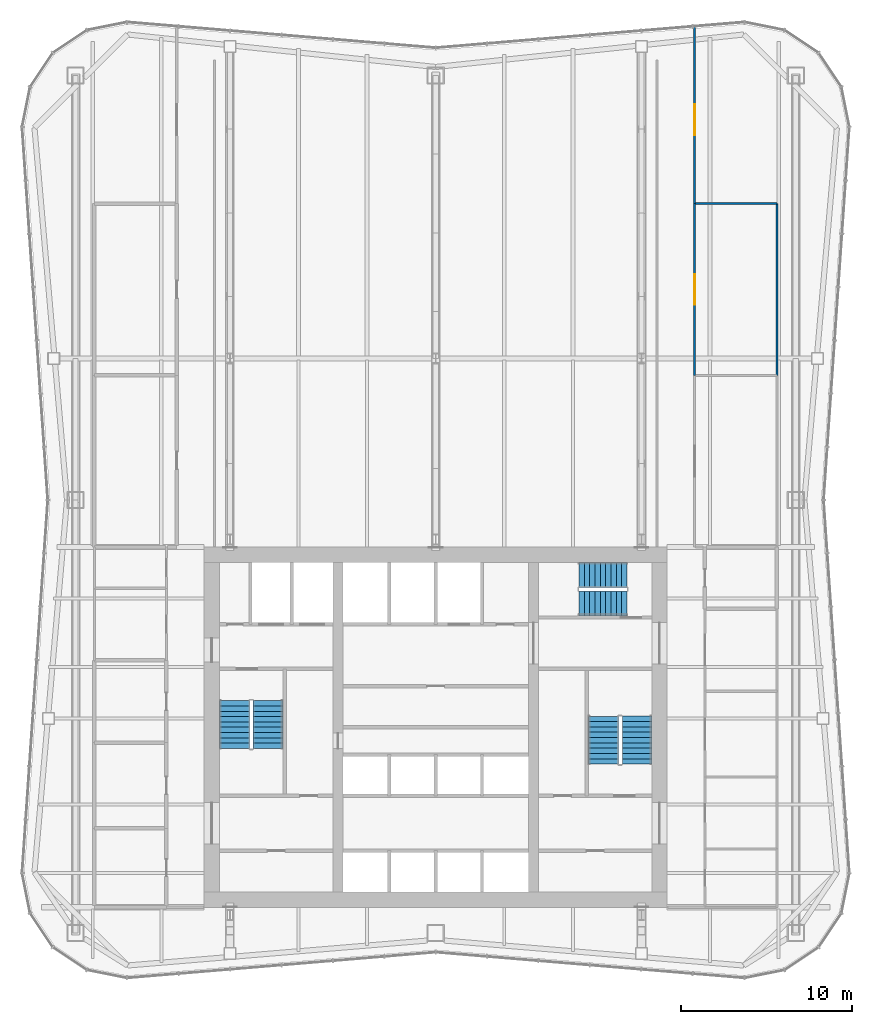
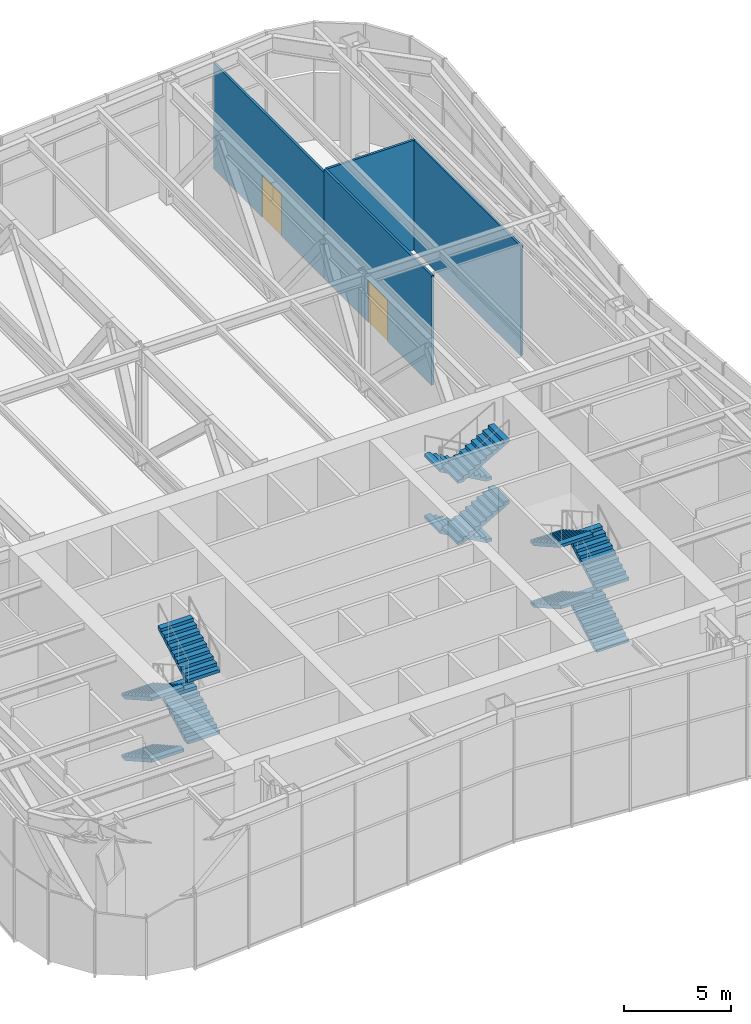
# One storey, part 11 of 14: 12 stair flights, 4 walls, 2 doors, 2 openings, 3 elements without a shape of their own.
"""IFC4 building model written with IfcOpenShell, lengths in metres."""

import ifcopenshell
import ifcopenshell.guid

model = None  # the IFC model being written
_history = None  # IfcOwnerHistory: only IFC2X3 demands one
_inside = {}  # id of a spatial element -> (the spatial element, [elements in it])
_under = {}  # id of a project, library or spatial element -> (it, [spatial elements below it])
_declared = {}  # id of a project -> (the project, [libraries it declares])
_typed = {}  # id of a type object -> (the type object, [elements of that type])
_made_of = {}  # id of a material, layer set ... -> (it, [elements and type objects made of it])


def new_model(schema):
    """Start an empty IFC model of exactly this schema.

    Asked for "IFC4X3", IfcOpenShell would pick the latest addendum, in which some entities
    have other attributes; the version numbers below select the first issue.
    IFC2X3 requires an IfcOwnerHistory on every rooted entity: one is made here for all.
    """
    global model, _history
    if schema == "IFC4X3":
        model = ifcopenshell.file(schema_version=(4, 3, 0, 0))
    else:
        model = ifcopenshell.file(schema=schema)
    _inside.clear()
    _under.clear()
    _declared.clear()
    _typed.clear()
    _made_of.clear()
    _history = None
    if model.schema == "IFC2X3":
        org = make("IfcOrganization", Name="unknown")
        user = make(
            "IfcPersonAndOrganization",
            ThePerson=make("IfcPerson", FamilyName="unknown"),
            TheOrganization=org,
        )
        app = make(
            "IfcApplication",
            ApplicationDeveloper=org,
            Version="unknown",
            ApplicationFullName="unknown",
            ApplicationIdentifier="unknown",
        )
        _history = make(
            "IfcOwnerHistory",
            OwningUser=user,
            OwningApplication=app,
            ChangeAction="ADDED",
            CreationDate=0,
        )
    return model


def make(cls, **values):
    """One entity of the class cls with the attributes given. An attribute that is None is left unset."""
    return model.create_entity(
        cls, **{name: value for name, value in values.items() if value is not None}
    )


def rooted(cls, **values):
    """An entity with a GlobalId (a new one), such as an element, a storey or a relation."""
    return make(cls, GlobalId=ifcopenshell.guid.new(), OwnerHistory=_history, **values)


def si_unit(unit_type, name, prefix=None):
    """IfcSIUnit, for example si_unit("LENGTHUNIT", "METRE", prefix="MILLI")."""
    return make("IfcSIUnit", UnitType=unit_type, Prefix=prefix, Name=name)


def assignment(units):
    """IfcUnitAssignment: the units of a project."""
    return None if units is None else make("IfcUnitAssignment", Units=units)


def point(xyz):
    """IfcCartesianPoint."""
    return None if xyz is None else make("IfcCartesianPoint", Coordinates=xyz)


def direction(xyz):
    """IfcDirection."""
    return None if xyz is None else make("IfcDirection", DirectionRatios=xyz)


def frame(location, z_axis=None, x_axis=None):
    """IfcAxis2Placement3D, a coordinate frame: its origin and axes. An axis left out is left unset."""
    return make(
        "IfcAxis2Placement3D",
        Location=point(location),
        Axis=direction(z_axis),
        RefDirection=direction(x_axis),
    )


def frame_2d(location, x_axis=None):
    """IfcAxis2Placement2D, a coordinate frame in the plane: its origin and x axis."""
    return make(
        "IfcAxis2Placement2D", Location=point(location), RefDirection=direction(x_axis)
    )


def origin():
    """The frame at (0, 0, 0) with its axes left unset."""
    return frame((0.0, 0.0, 0.0))


def place(relative_to, where):
    """IfcLocalPlacement: puts the frame where relative to a parent placement (None: the world)."""
    return make(
        "IfcLocalPlacement", PlacementRelTo=relative_to, RelativePlacement=where
    )


def context(
    kind, dimensions, precision=None, world=None, true_north=None, identifier=None
):
    """IfcGeometricRepresentationContext, for example the 3D "Model" context."""
    return make(
        "IfcGeometricRepresentationContext",
        ContextIdentifier=identifier,
        ContextType=kind,
        CoordinateSpaceDimension=dimensions,
        Precision=precision,
        WorldCoordinateSystem=world,
        TrueNorth=true_north,
    )


def subcontext(parent, identifier, kind, view, scale=None):
    """IfcGeometricRepresentationSubContext, for example "Body" below "Model"."""
    return make(
        "IfcGeometricRepresentationSubContext",
        ContextIdentifier=identifier,
        ContextType=kind,
        ParentContext=parent,
        TargetScale=scale,
        TargetView=view,
    )


def project(units=None, contexts=None):
    """IfcProject with its units and contexts."""
    return rooted(
        "IfcProject",
        Name="project",
        RepresentationContexts=contexts,
        UnitsInContext=assignment(units),
    )


def spatial(cls, under=None, at=None, **own):
    """A site, building, storey or space (cls), placed at a placement, below another one or the project."""
    s = rooted(cls, ObjectPlacement=at, **own)
    if under is not None:
        _under.setdefault(under.id(), (under, []))[1].append(s)
    return s


def polyline(points):
    """IfcPolyline through the points."""
    return make("IfcPolyline", Points=[point(p) for p in points])


def profile(cls, at=None, kind="AREA", **sizes):
    """A parametric profile (cls). Its sizes go by their IFC names, for example OverallWidth=200.0."""
    return make(cls, ProfileType=kind, Position=at, **sizes)


def rectangle(**sizes):
    """IfcRectangleProfileDef."""
    return profile("IfcRectangleProfileDef", **sizes)


def outline(outer, holes=None, kind="AREA"):
    """IfcArbitraryClosedProfileDef: a profile drawn as a closed curve; with holes, ...WithVoids."""
    if holes is None:
        return make("IfcArbitraryClosedProfileDef", ProfileType=kind, OuterCurve=outer)
    return make(
        "IfcArbitraryProfileDefWithVoids",
        ProfileType=kind,
        OuterCurve=outer,
        InnerCurves=holes,
    )


def extrude(swept, where, along, depth):
    """IfcExtrudedAreaSolid: the profile swept, set in the frame where, extruded along a direction by depth."""
    return make(
        "IfcExtrudedAreaSolid",
        SweptArea=swept,
        Position=where,
        ExtrudedDirection=direction(along),
        Depth=depth,
    )


def shape(context_of_items, identifier, shape_type, items):
    """IfcShapeRepresentation: the items that make up one representation, for example the "Body"."""
    return make(
        "IfcShapeRepresentation",
        ContextOfItems=context_of_items,
        RepresentationIdentifier=identifier,
        RepresentationType=shape_type,
        Items=items,
    )


def material(Name=None, Category=None):
    """IfcMaterial."""
    return make("IfcMaterial", Name=Name, Category=Category)


def layer(
    of_material, thickness, ventilated=None, Name=None, Category=None, Priority=None
):
    """IfcMaterialLayer: one layer of a wall or slab, of a material (None: an air gap)."""
    return make(
        "IfcMaterialLayer",
        Material=of_material,
        LayerThickness=thickness,
        IsVentilated=ventilated,
        Name=Name,
        Category=Category,
        Priority=Priority,
    )


def layer_set(layers, Name=None):
    """IfcMaterialLayerSet."""
    return make("IfcMaterialLayerSet", MaterialLayers=layers, LayerSetName=Name)


def made_of(thing, what):
    """Note that an element or type object is made of a material, layer set ...; save() writes the relation."""
    if what is not None:
        _made_of.setdefault(what.id(), (what, []))[1].append(thing)
    return thing


def type_object(cls, material=None, **own):
    """A type object (cls), such as IfcWallType, which elements share."""
    return made_of(rooted(cls, **own), material)


def element(
    cls,
    number,
    at=None,
    inside=None,
    cuts=None,
    type_object=None,
    material=None,
    context=None,
    identifier="Body",
    shape_type=None,
    held_by="IfcProductDefinitionShape",
    body=None,
    shapes=None,
    **own,
):
    """One element of the class cls, such as IfcWall. Its Tag is "e" and its number.

    at: its placement. inside: the storey or other place that contains it. cuts: it is an
    opening in that element (IfcRelVoidsElement). A single representation is given by context,
    identifier, shape_type and body (its items); several are given by shapes. held_by: the class
    of the entity that holds the representations. save() writes the other relations.
    """
    e = rooted(cls, Tag="e%d" % number, ObjectPlacement=at, **own)
    if body is not None:
        shapes = [shape(context, identifier, shape_type, body)]
    if shapes is not None:
        e.Representation = make(held_by, Representations=shapes)
    if inside is not None:
        _inside.setdefault(inside.id(), (inside, []))[1].append(e)
    if cuts is not None:
        rooted(
            "IfcRelVoidsElement", RelatingBuildingElement=cuts, RelatedOpeningElement=e
        )
    if type_object is not None:
        _typed.setdefault(type_object.id(), (type_object, []))[1].append(e)
    return made_of(e, material)


def fill(opening, filler):
    """IfcRelFillsElement: the door or window that sits in an opening."""
    return rooted(
        "IfcRelFillsElement",
        RelatingOpeningElement=opening,
        RelatedBuildingElement=filler,
    )


def aggregate(whole, parts):
    """IfcRelAggregates: a whole, such as a stair, and the parts it consists of."""
    return rooted("IfcRelAggregates", RelatingObject=whole, RelatedObjects=parts)


def save(model, path):
    """Write the relations noted so far, then the file.

    IfcRelAggregates (storeys below a building ...), IfcRelContainedInSpatialStructure (elements
    in a storey), IfcRelDefinesByType, IfcRelAssociatesMaterial and IfcRelDeclares: one each for
    every whole, place, type object, material and project.
    """
    for whole, parts in _under.values():
        aggregate(whole, parts)
    for where, things in _inside.values():
        rooted(
            "IfcRelContainedInSpatialStructure",
            RelatedElements=things,
            RelatingStructure=where,
        )
    for kind, things in _typed.values():
        rooted("IfcRelDefinesByType", RelatedObjects=things, RelatingType=kind)
    for what, things in _made_of.values():
        rooted("IfcRelAssociatesMaterial", RelatedObjects=things, RelatingMaterial=what)
    for by, libraries in _declared.values():
        rooted("IfcRelDeclares", RelatingContext=by, RelatedDefinitions=libraries)
    model.write(path)


model = new_model("IFC4")

# Units and contexts
model_context = context("Model", 3, precision=1e-05, world=origin(), true_north=direction((0.0, 1.0)))
body_context = subcontext(model_context, "Body", "Model", "MODEL_VIEW")
ifc_project = project(units=[si_unit("LENGTHUNIT", "METRE"), si_unit("AREAUNIT", "SQUARE_METRE"), si_unit("VOLUMEUNIT", "CUBIC_METRE"), si_unit("PLANEANGLEUNIT", "RADIAN"), si_unit("MASSUNIT", "GRAM", prefix="KILO")], contexts=[model_context])

# Site, building, storey
site_placement = place(None, origin())
site = spatial("IfcSite", under=ifc_project, at=site_placement, CompositionType="ELEMENT")
building_placement = place(site_placement, origin())
building = spatial("IfcBuilding", under=site, at=building_placement, Name="Verdant Reach Tower", CompositionType="ELEMENT")
storey_placement = place(building_placement, frame((0.0, 0.0, 226.0)))
storey = spatial("IfcBuildingStorey", under=building, at=storey_placement, Name="L52 Plant", CompositionType="ELEMENT", Elevation=226.0)

# Wall, opening, door
ifc_material_1 = material(Name="Gypsum board on steel studs, fire rated", Category="steel")
ifc_layer = layer(ifc_material_1, 0.125)
ifc_layer_set = layer_set([ifc_layer], Name="SV-W2 Plant wall 125 EI 60")
wall_type = type_object("IfcWallType", Name="SV-W2 Plant wall 125 EI 60", PredefinedType="PARTITIONING", material=ifc_layer_set)
wall_1_placement = place(storey_placement, frame((15.10009765625, 48.514892578125, 0.0), z_axis=(0.0, 0.0, 1.0), x_axis=(0.0, 1.0, 0.0)))
wall_1 = element("IfcWall", 1, at=wall_1_placement, inside=storey, type_object=wall_type, Name="Partition L52.08", PredefinedType="PARTITIONING", context=body_context, shape_type="SweptSolid", body=[
    extrude(rectangle(XDim=10.01611328125, YDim=0.125, at=frame_2d((5.008056640625, 0.0))), origin(), (0.0, 0.0, 1.0), 6.239990234375),
])
opening_1_placement = place(wall_1_placement, frame((4.10791015625, 0.0, 0.0)))
opening_1 = element("IfcOpeningElement", 2, at=opening_1_placement, cuts=wall_1, Name="Opening SD3", PredefinedType="OPENING", context=body_context, shape_type="SweptSolid", body=[
    extrude(rectangle(XDim=1.800048828125, YDim=2.39990234375, at=frame_2d((0.89990234375, 1.199951171875))), frame((0.0, 0.072509765625, 0.0), z_axis=(0.0, -1.0, 0.0), x_axis=(1.0, 0.0, 0.0)), (0.0, 0.0, 1.0), 0.14501953125),
])
ifc_material_2 = material(Name="Steel door leaves, fire rated", Category="steel")
door_type = type_object("IfcDoorType", Name="SV-D3 Equipment door 1800x2400 FD60", OperationType="DOUBLE_DOOR_SINGLE_SWING", PredefinedType="DOOR", material=ifc_material_2)
door_1_placement = place(opening_1_placement, origin())
door_1 = element("IfcDoor", 3, at=door_1_placement, inside=storey, type_object=door_type, Name="Door L52-007", OperationType="DOUBLE_DOOR_SINGLE_SWING", OverallHeight=2.39990234375, OverallWidth=1.800048828125, PredefinedType="DOOR", context=body_context, shape_type="SweptSolid", body=[
    extrude(rectangle(XDim=1.800048828125, YDim=2.39990234375, at=frame_2d((0.89990234375, 1.199951171875))), frame((0.0, 0.02490234375, 0.0), z_axis=(0.0, -1.0, 0.0), x_axis=(1.0, 0.0, 0.0)), (0.0, 0.0, 1.0), 0.050048828125),
])
fill(opening_1, door_1)

wall_2_placement = place(storey_placement, frame((15.10009765625, 58.531005859375, 0.0), z_axis=(0.0, 0.0, 1.0), x_axis=(0.0, 1.0, 0.0)))
wall_2 = element("IfcWall", 4, at=wall_2_placement, inside=storey, type_object=wall_type, Name="Partition L52.09", PredefinedType="PARTITIONING", context=body_context, shape_type="SweptSolid", body=[
    extrude(rectangle(XDim=10.307373046875, YDim=0.125, at=frame_2d((5.15380859375, 0.0))), origin(), (0.0, 0.0, 1.0), 6.0400390625),
])
opening_2_placement = place(wall_2_placement, frame((3.988037109375, 0.0, 0.0)))
opening_2 = element("IfcOpeningElement", 5, at=opening_2_placement, cuts=wall_2, Name="Opening SD3", PredefinedType="OPENING", context=body_context, shape_type="SweptSolid", body=[
    extrude(rectangle(XDim=1.800048828125, YDim=2.39990234375, at=frame_2d((0.89990234375, 1.199951171875))), frame((0.0, 0.072509765625, 0.0), z_axis=(0.0, -1.0, 0.0), x_axis=(1.0, 0.0, 0.0)), (0.0, 0.0, 1.0), 0.14501953125),
])
door_2_placement = place(opening_2_placement, origin())
door_2 = element("IfcDoor", 6, at=door_2_placement, inside=storey, type_object=door_type, Name="Door L52-008", OperationType="DOUBLE_DOOR_SINGLE_SWING", OverallHeight=2.39990234375, OverallWidth=1.800048828125, PredefinedType="DOOR", context=body_context, shape_type="SweptSolid", body=[
    extrude(rectangle(XDim=1.800048828125, YDim=2.39990234375, at=frame_2d((0.89990234375, 1.199951171875))), frame((0.0, 0.02490234375, 0.0), z_axis=(0.0, -1.0, 0.0), x_axis=(1.0, 0.0, 0.0)), (0.0, 0.0, 1.0), 0.050048828125),
])
fill(opening_2, door_2)

# Walls
wall_3_placement = place(storey_placement, frame((15.16259765625, 58.531005859375, 0.0), z_axis=(0.0, 0.0, 1.0), x_axis=(1.0, 0.0, 0.0)))
element("IfcWall", 7, at=wall_3_placement, inside=storey, type_object=wall_type, Name="Partition L52.16", PredefinedType="PARTITIONING", context=body_context, shape_type="SweptSolid", body=[
    extrude(rectangle(XDim=4.7373046875, YDim=0.125, at=frame_2d((2.36865234375, 0.0))), origin(), (0.0, 0.0, 1.0), 6.239990234375),
])
wall_4_placement = place(storey_placement, frame((19.89990234375, 58.529052734375, 0.0), z_axis=(0.0, 0.0, 1.0), x_axis=(0.0, -1.0, 0.0)))
element("IfcWall", 8, at=wall_4_placement, inside=storey, type_object=wall_type, Name="Partition L52.42", PredefinedType="PARTITIONING", context=body_context, shape_type="SweptSolid", body=[
    extrude(rectangle(XDim=10.011962890625, YDim=0.125, at=frame_2d((5.005859375, 0.0))), origin(), (0.0, 0.0, 1.0), 6.239990234375),
])

# Stair, stair flights
ifc_material_3 = material(Name="Concrete C40/50", Category="concrete")
stair_type = type_object("IfcStairType", Name="CO-STAIR", PredefinedType="HALF_TURN_STAIR", material=ifc_material_3)
stair_1_placement = place(storey_placement, origin())
stair_1 = element("IfcStair", 9, at=stair_1_placement, inside=storey, type_object=stair_type, Name="L52 Plant Exit stair 1", PredefinedType="HALF_TURN_STAIR")
stair_flight_type = type_object("IfcStairFlightType", Name="CO-STAIR-FLIGHT", PredefinedType="STRAIGHT", material=ifc_material_3)
stair_flight_1_placement = place(storey_placement, frame((-11.72509765625, 29.550048828125, 0.0), z_axis=(0.0, 0.0, 1.0), x_axis=(0.0, -1.0, 0.0)))
stair_flight_1 = element("IfcStairFlight", 10, at=stair_flight_1_placement, type_object=stair_flight_type, Name="ST-1 flight 1", NumberOfRisers=10, NumberOfTreads=9, PredefinedType="STRAIGHT", RiserHeight=0.175, TreadLength=0.31, context=body_context, shape_type="SweptSolid", body=[
    extrude(outline(polyline([(0.0, 0.0), (0.0, 0.175048828125), (0.31005859375, 0.175048828125), (0.31005859375, 0.35009765625), (0.6201171875, 0.35009765625), (0.6201171875, 0.52490234375), (0.929931640625, 0.52490234375), (0.929931640625, 0.699951171875), (1.239990234375, 0.699951171875), (1.239990234375, 0.875), (1.550048828125, 0.875), (1.550048828125, 1.050048828125), (1.860107421875, 1.050048828125), (1.860107421875, 1.22509765625), (2.169921875, 1.22509765625), (2.169921875, 1.39990234375), (2.47998046875, 1.39990234375), (2.47998046875, 1.574951171875), (2.7900390625, 1.574951171875), (2.7900390625, 1.75), (2.7900390625, 1.40283203125), (0.304931640625, 0.0), (0.0, 0.0)])), frame((0.0, 0.875, 0.0), z_axis=(0.0, -1.0, 0.0), x_axis=(1.0, 0.0, 0.0)), (0.0, 0.0, 1.0), 1.75),
])
stair_flight_2_placement = place(storey_placement, frame((-9.77490234375, 26.760009765625, 1.75), z_axis=(0.0, 0.0, 1.0), x_axis=(0.0, 1.0, 0.0)))
stair_flight_2 = element("IfcStairFlight", 11, at=stair_flight_2_placement, type_object=stair_flight_type, Name="ST-1 flight 2", NumberOfRisers=10, NumberOfTreads=9, PredefinedType="STRAIGHT", RiserHeight=0.175, TreadLength=0.31, context=body_context, shape_type="SweptSolid", body=[
    extrude(outline(polyline([(0.0, 0.0), (0.0, 0.175048828125), (0.31005859375, 0.175048828125), (0.31005859375, 0.35009765625), (0.6201171875, 0.35009765625), (0.6201171875, 0.52490234375), (0.929931640625, 0.52490234375), (0.929931640625, 0.699951171875), (1.239990234375, 0.699951171875), (1.239990234375, 0.875), (1.550048828125, 0.875), (1.550048828125, 1.050048828125), (1.860107421875, 1.050048828125), (1.860107421875, 1.22509765625), (2.169921875, 1.22509765625), (2.169921875, 1.39990234375), (2.47998046875, 1.39990234375), (2.47998046875, 1.574951171875), (2.7900390625, 1.574951171875), (2.7900390625, 1.75), (2.7900390625, 1.40283203125), (0.304931640625, 0.0), (0.0, 0.0)])), frame((0.0, 0.875, 0.0), z_axis=(0.0, -1.0, 0.0), x_axis=(1.0, 0.0, 0.0)), (0.0, 0.0, 1.0), 1.75),
])
stair_flight_3_placement = place(storey_placement, frame((-11.72509765625, 29.550048828125, 3.5), z_axis=(0.0, 0.0, 1.0), x_axis=(0.0, -1.0, 0.0)))
stair_flight_3 = element("IfcStairFlight", 12, at=stair_flight_3_placement, type_object=stair_flight_type, Name="ST-1 flight 3", NumberOfRisers=10, NumberOfTreads=9, PredefinedType="STRAIGHT", RiserHeight=0.175, TreadLength=0.31, context=body_context, shape_type="SweptSolid", body=[
    extrude(outline(polyline([(0.0, 0.0), (0.0, 0.175048828125), (0.31005859375, 0.175048828125), (0.31005859375, 0.35009765625), (0.6201171875, 0.35009765625), (0.6201171875, 0.52490234375), (0.929931640625, 0.52490234375), (0.929931640625, 0.699951171875), (1.239990234375, 0.699951171875), (1.239990234375, 0.875), (1.550048828125, 0.875), (1.550048828125, 1.050048828125), (1.860107421875, 1.050048828125), (1.860107421875, 1.22509765625), (2.169921875, 1.22509765625), (2.169921875, 1.39990234375), (2.47998046875, 1.39990234375), (2.47998046875, 1.574951171875), (2.7900390625, 1.574951171875), (2.7900390625, 1.75), (2.7900390625, 1.40283203125), (0.304931640625, 0.0), (0.0, 0.0)])), frame((0.0, 0.875, 0.0), z_axis=(0.0, -1.0, 0.0), x_axis=(1.0, 0.0, 0.0)), (0.0, 0.0, 1.0), 1.75),
])
stair_flight_4_placement = place(storey_placement, frame((-9.77490234375, 26.760009765625, 5.25), z_axis=(0.0, 0.0, 1.0), x_axis=(0.0, 1.0, 0.0)))
stair_flight_4 = element("IfcStairFlight", 13, at=stair_flight_4_placement, type_object=stair_flight_type, Name="ST-1 flight 4", NumberOfRisers=10, NumberOfTreads=9, PredefinedType="STRAIGHT", RiserHeight=0.175, TreadLength=0.31, context=body_context, shape_type="SweptSolid", body=[
    extrude(outline(polyline([(0.0, 0.0), (0.0, 0.175048828125), (0.31005859375, 0.175048828125), (0.31005859375, 0.35009765625), (0.6201171875, 0.35009765625), (0.6201171875, 0.52490234375), (0.929931640625, 0.52490234375), (0.929931640625, 0.699951171875), (1.239990234375, 0.699951171875), (1.239990234375, 0.875), (1.550048828125, 0.875), (1.550048828125, 1.050048828125), (1.860107421875, 1.050048828125), (1.860107421875, 1.22509765625), (2.169921875, 1.22509765625), (2.169921875, 1.39990234375), (2.47998046875, 1.39990234375), (2.47998046875, 1.574951171875), (2.7900390625, 1.574951171875), (2.7900390625, 1.75), (2.7900390625, 1.40283203125), (0.304931640625, 0.0), (0.0, 0.0)])), frame((0.0, 0.875, 0.0), z_axis=(0.0, -1.0, 0.0), x_axis=(1.0, 0.0, 0.0)), (0.0, 0.0, 1.0), 1.75),
])
aggregate(stair_1, [stair_flight_1, stair_flight_2, stair_flight_3, stair_flight_4])

stair_2_placement = place(storey_placement, origin())
stair_2 = element("IfcStair", 14, at=stair_2_placement, inside=storey, type_object=stair_type, Name="L52 Plant Exit stair 2", PredefinedType="HALF_TURN_STAIR")
stair_flight_5_placement = place(storey_placement, frame((11.72509765625, 25.85009765625, 0.0), z_axis=(0.0, 0.0, 1.0), x_axis=(0.0, 1.0, 0.0)))
stair_flight_5 = element("IfcStairFlight", 15, at=stair_flight_5_placement, type_object=stair_flight_type, Name="ST-2 flight 1", NumberOfRisers=10, NumberOfTreads=9, PredefinedType="STRAIGHT", RiserHeight=0.175, TreadLength=0.31, context=body_context, shape_type="SweptSolid", body=[
    extrude(outline(polyline([(0.0, 0.0), (0.0, 0.175048828125), (0.31005859375, 0.175048828125), (0.31005859375, 0.35009765625), (0.6201171875, 0.35009765625), (0.6201171875, 0.52490234375), (0.929931640625, 0.52490234375), (0.929931640625, 0.699951171875), (1.239990234375, 0.699951171875), (1.239990234375, 0.875), (1.550048828125, 0.875), (1.550048828125, 1.050048828125), (1.860107421875, 1.050048828125), (1.860107421875, 1.22509765625), (2.169921875, 1.22509765625), (2.169921875, 1.39990234375), (2.47998046875, 1.39990234375), (2.47998046875, 1.574951171875), (2.7900390625, 1.574951171875), (2.7900390625, 1.75), (2.7900390625, 1.40283203125), (0.304931640625, 0.0), (0.0, 0.0)])), frame((0.0, 0.875, 0.0), z_axis=(0.0, -1.0, 0.0), x_axis=(1.0, 0.0, 0.0)), (0.0, 0.0, 1.0), 1.75),
])
stair_flight_6_placement = place(storey_placement, frame((9.77490234375, 28.639892578125, 1.75), z_axis=(0.0, 0.0, 1.0), x_axis=(0.0, -1.0, 0.0)))
stair_flight_6 = element("IfcStairFlight", 16, at=stair_flight_6_placement, type_object=stair_flight_type, Name="ST-2 flight 2", NumberOfRisers=10, NumberOfTreads=9, PredefinedType="STRAIGHT", RiserHeight=0.175, TreadLength=0.31, context=body_context, shape_type="SweptSolid", body=[
    extrude(outline(polyline([(0.0, 0.0), (0.0, 0.175048828125), (0.31005859375, 0.175048828125), (0.31005859375, 0.35009765625), (0.6201171875, 0.35009765625), (0.6201171875, 0.52490234375), (0.929931640625, 0.52490234375), (0.929931640625, 0.699951171875), (1.239990234375, 0.699951171875), (1.239990234375, 0.875), (1.550048828125, 0.875), (1.550048828125, 1.050048828125), (1.860107421875, 1.050048828125), (1.860107421875, 1.22509765625), (2.169921875, 1.22509765625), (2.169921875, 1.39990234375), (2.47998046875, 1.39990234375), (2.47998046875, 1.574951171875), (2.7900390625, 1.574951171875), (2.7900390625, 1.75), (2.7900390625, 1.40283203125), (0.304931640625, 0.0), (0.0, 0.0)])), frame((0.0, 0.875, 0.0), z_axis=(0.0, -1.0, 0.0), x_axis=(1.0, 0.0, 0.0)), (0.0, 0.0, 1.0), 1.75),
])
stair_flight_7_placement = place(storey_placement, frame((11.72509765625, 25.85009765625, 3.5), z_axis=(0.0, 0.0, 1.0), x_axis=(0.0, 1.0, 0.0)))
stair_flight_7 = element("IfcStairFlight", 17, at=stair_flight_7_placement, type_object=stair_flight_type, Name="ST-2 flight 3", NumberOfRisers=10, NumberOfTreads=9, PredefinedType="STRAIGHT", RiserHeight=0.175, TreadLength=0.31, context=body_context, shape_type="SweptSolid", body=[
    extrude(outline(polyline([(0.0, 0.0), (0.0, 0.175048828125), (0.31005859375, 0.175048828125), (0.31005859375, 0.35009765625), (0.6201171875, 0.35009765625), (0.6201171875, 0.52490234375), (0.929931640625, 0.52490234375), (0.929931640625, 0.699951171875), (1.239990234375, 0.699951171875), (1.239990234375, 0.875), (1.550048828125, 0.875), (1.550048828125, 1.050048828125), (1.860107421875, 1.050048828125), (1.860107421875, 1.22509765625), (2.169921875, 1.22509765625), (2.169921875, 1.39990234375), (2.47998046875, 1.39990234375), (2.47998046875, 1.574951171875), (2.7900390625, 1.574951171875), (2.7900390625, 1.75), (2.7900390625, 1.40283203125), (0.304931640625, 0.0), (0.0, 0.0)])), frame((0.0, 0.875, 0.0), z_axis=(0.0, -1.0, 0.0), x_axis=(1.0, 0.0, 0.0)), (0.0, 0.0, 1.0), 1.75),
])
stair_flight_8_placement = place(storey_placement, frame((9.77490234375, 28.639892578125, 5.25), z_axis=(0.0, 0.0, 1.0), x_axis=(0.0, -1.0, 0.0)))
stair_flight_8 = element("IfcStairFlight", 18, at=stair_flight_8_placement, type_object=stair_flight_type, Name="ST-2 flight 4", NumberOfRisers=10, NumberOfTreads=9, PredefinedType="STRAIGHT", RiserHeight=0.175, TreadLength=0.31, context=body_context, shape_type="SweptSolid", body=[
    extrude(outline(polyline([(0.0, 0.0), (0.0, 0.175048828125), (0.31005859375, 0.175048828125), (0.31005859375, 0.35009765625), (0.6201171875, 0.35009765625), (0.6201171875, 0.52490234375), (0.929931640625, 0.52490234375), (0.929931640625, 0.699951171875), (1.239990234375, 0.699951171875), (1.239990234375, 0.875), (1.550048828125, 0.875), (1.550048828125, 1.050048828125), (1.860107421875, 1.050048828125), (1.860107421875, 1.22509765625), (2.169921875, 1.22509765625), (2.169921875, 1.39990234375), (2.47998046875, 1.39990234375), (2.47998046875, 1.574951171875), (2.7900390625, 1.574951171875), (2.7900390625, 1.75), (2.7900390625, 1.40283203125), (0.304931640625, 0.0), (0.0, 0.0)])), frame((0.0, 0.875, 0.0), z_axis=(0.0, -1.0, 0.0), x_axis=(1.0, 0.0, 0.0)), (0.0, 0.0, 1.0), 1.75),
])
aggregate(stair_2, [stair_flight_5, stair_flight_6, stair_flight_7, stair_flight_8])

stair_3_placement = place(storey_placement, origin())
stair_3 = element("IfcStair", 19, at=stair_3_placement, inside=storey, type_object=stair_type, Name="L52 Plant Exit stair 3", PredefinedType="HALF_TURN_STAIR")
stair_flight_9_placement = place(storey_placement, frame((11.14990234375, 36.875, 0.0), z_axis=(0.0, 0.0, 1.0), x_axis=(-1.0, 0.0, 0.0)))
stair_flight_9 = element("IfcStairFlight", 20, at=stair_flight_9_placement, type_object=stair_flight_type, Name="ST-3 flight 1", NumberOfRisers=10, NumberOfTreads=9, PredefinedType="STRAIGHT", RiserHeight=0.175, TreadLength=0.31, context=body_context, shape_type="SweptSolid", body=[
    extrude(outline(polyline([(0.0, 0.0), (0.0, 0.175048828125), (0.31005859375, 0.175048828125), (0.31005859375, 0.35009765625), (0.6201171875, 0.35009765625), (0.6201171875, 0.52490234375), (0.929931640625, 0.52490234375), (0.929931640625, 0.699951171875), (1.239990234375, 0.699951171875), (1.239990234375, 0.875), (1.550048828125, 0.875), (1.550048828125, 1.050048828125), (1.860107421875, 1.050048828125), (1.860107421875, 1.22509765625), (2.169921875, 1.22509765625), (2.169921875, 1.39990234375), (2.47998046875, 1.39990234375), (2.47998046875, 1.574951171875), (2.7900390625, 1.574951171875), (2.7900390625, 1.75), (2.7900390625, 1.40283203125), (0.304931640625, 0.0), (0.0, 0.0)])), frame((0.0, 0.72509765625, 0.0), z_axis=(0.0, -1.0, 0.0), x_axis=(1.0, 0.0, 0.0)), (0.0, 0.0, 1.0), 1.449951171875),
])
stair_flight_10_placement = place(storey_placement, frame((8.360107421875, 35.22509765625, 1.75), z_axis=(0.0, 0.0, 1.0), x_axis=(1.0, 0.0, 0.0)))
stair_flight_10 = element("IfcStairFlight", 21, at=stair_flight_10_placement, type_object=stair_flight_type, Name="ST-3 flight 2", NumberOfRisers=10, NumberOfTreads=9, PredefinedType="STRAIGHT", RiserHeight=0.175, TreadLength=0.31, context=body_context, shape_type="SweptSolid", body=[
    extrude(outline(polyline([(0.0, 0.0), (0.0, 0.175048828125), (0.31005859375, 0.175048828125), (0.31005859375, 0.35009765625), (0.6201171875, 0.35009765625), (0.6201171875, 0.52490234375), (0.929931640625, 0.52490234375), (0.929931640625, 0.699951171875), (1.239990234375, 0.699951171875), (1.239990234375, 0.875), (1.550048828125, 0.875), (1.550048828125, 1.050048828125), (1.860107421875, 1.050048828125), (1.860107421875, 1.22509765625), (2.169921875, 1.22509765625), (2.169921875, 1.39990234375), (2.47998046875, 1.39990234375), (2.47998046875, 1.574951171875), (2.7900390625, 1.574951171875), (2.7900390625, 1.75), (2.7900390625, 1.40283203125), (0.304931640625, 0.0), (0.0, 0.0)])), frame((0.0, 0.72509765625, 0.0), z_axis=(0.0, -1.0, 0.0), x_axis=(1.0, 0.0, 0.0)), (0.0, 0.0, 1.0), 1.449951171875),
])
stair_flight_11_placement = place(storey_placement, frame((11.14990234375, 36.875, 3.5), z_axis=(0.0, 0.0, 1.0), x_axis=(-1.0, 0.0, 0.0)))
stair_flight_11 = element("IfcStairFlight", 22, at=stair_flight_11_placement, type_object=stair_flight_type, Name="ST-3 flight 3", NumberOfRisers=10, NumberOfTreads=9, PredefinedType="STRAIGHT", RiserHeight=0.175, TreadLength=0.31, context=body_context, shape_type="SweptSolid", body=[
    extrude(outline(polyline([(0.0, 0.0), (0.0, 0.175048828125), (0.31005859375, 0.175048828125), (0.31005859375, 0.35009765625), (0.6201171875, 0.35009765625), (0.6201171875, 0.52490234375), (0.929931640625, 0.52490234375), (0.929931640625, 0.699951171875), (1.239990234375, 0.699951171875), (1.239990234375, 0.875), (1.550048828125, 0.875), (1.550048828125, 1.050048828125), (1.860107421875, 1.050048828125), (1.860107421875, 1.22509765625), (2.169921875, 1.22509765625), (2.169921875, 1.39990234375), (2.47998046875, 1.39990234375), (2.47998046875, 1.574951171875), (2.7900390625, 1.574951171875), (2.7900390625, 1.75), (2.7900390625, 1.40283203125), (0.304931640625, 0.0), (0.0, 0.0)])), frame((0.0, 0.72509765625, 0.0), z_axis=(0.0, -1.0, 0.0), x_axis=(1.0, 0.0, 0.0)), (0.0, 0.0, 1.0), 1.449951171875),
])
stair_flight_12_placement = place(storey_placement, frame((8.360107421875, 35.22509765625, 5.25), z_axis=(0.0, 0.0, 1.0), x_axis=(1.0, 0.0, 0.0)))
stair_flight_12 = element("IfcStairFlight", 23, at=stair_flight_12_placement, type_object=stair_flight_type, Name="ST-3 flight 4", NumberOfRisers=10, NumberOfTreads=9, PredefinedType="STRAIGHT", RiserHeight=0.175, TreadLength=0.31, context=body_context, shape_type="SweptSolid", body=[
    extrude(outline(polyline([(0.0, 0.0), (0.0, 0.175048828125), (0.31005859375, 0.175048828125), (0.31005859375, 0.35009765625), (0.6201171875, 0.35009765625), (0.6201171875, 0.52490234375), (0.929931640625, 0.52490234375), (0.929931640625, 0.699951171875), (1.239990234375, 0.699951171875), (1.239990234375, 0.875), (1.550048828125, 0.875), (1.550048828125, 1.050048828125), (1.860107421875, 1.050048828125), (1.860107421875, 1.22509765625), (2.169921875, 1.22509765625), (2.169921875, 1.39990234375), (2.47998046875, 1.39990234375), (2.47998046875, 1.574951171875), (2.7900390625, 1.574951171875), (2.7900390625, 1.75), (2.7900390625, 1.40283203125), (0.304931640625, 0.0), (0.0, 0.0)])), frame((0.0, 0.72509765625, 0.0), z_axis=(0.0, -1.0, 0.0), x_axis=(1.0, 0.0, 0.0)), (0.0, 0.0, 1.0), 1.449951171875),
])
aggregate(stair_3, [stair_flight_9, stair_flight_10, stair_flight_11, stair_flight_12])

save(model, "model.ifc")
